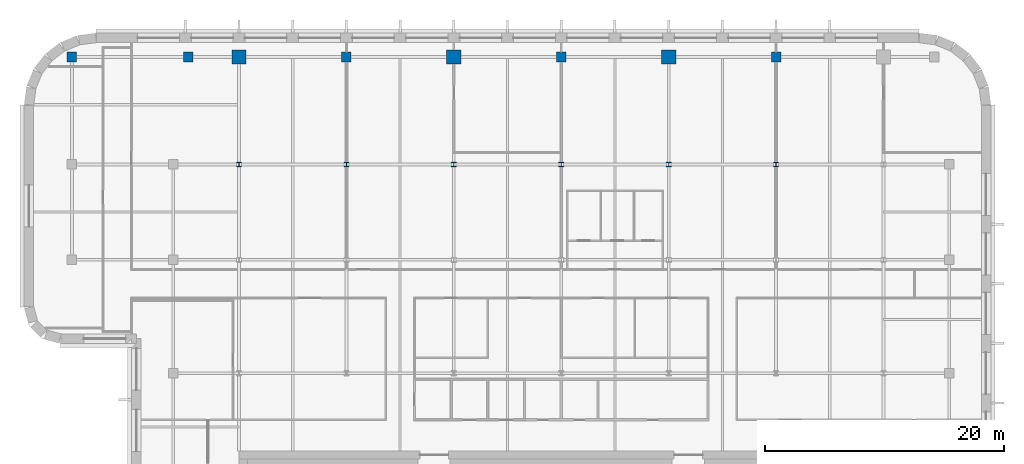
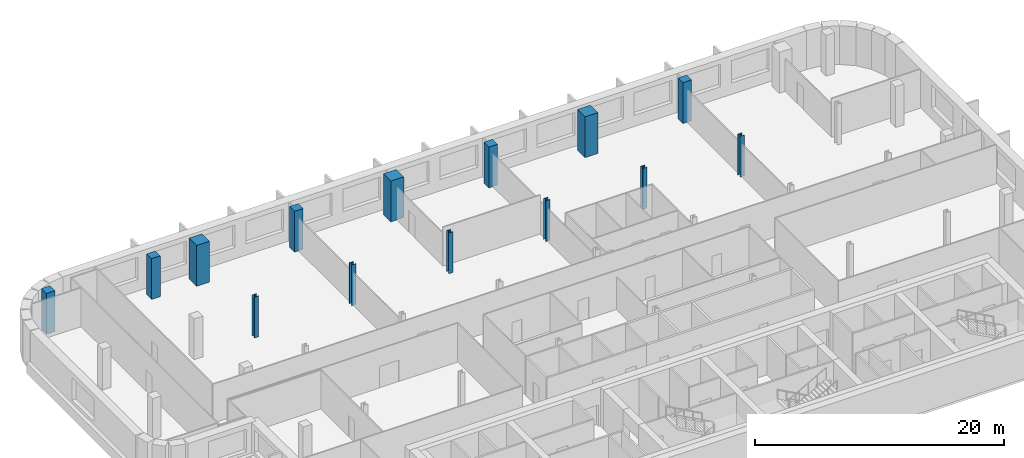
# One storey, part 3 of 16: 14 columns.
"""IFC4 building model written with IfcOpenShell, lengths in metres."""

from ifc_helpers import new_model, si_unit, direction, frame, origin, origin_2d, place, context, subcontext, project, spatial, rectangle, i_section, extrude, material, material_profile, profile_set, type_object, element, save


model = new_model("IFC4")

# Units and contexts
model_context = context("Model", 3, precision=1e-05, world=origin(), true_north=direction((0.0, 1.0)))
body_context = subcontext(model_context, "Body", "Model", "MODEL_VIEW")
ifc_project = project(units=[si_unit("LENGTHUNIT", "METRE"), si_unit("AREAUNIT", "SQUARE_METRE"), si_unit("VOLUMEUNIT", "CUBIC_METRE"), si_unit("PLANEANGLEUNIT", "RADIAN"), si_unit("MASSUNIT", "GRAM", prefix="KILO")], contexts=[model_context])

# Site, building, storey
site_placement = place(None, origin())
site = spatial("IfcSite", under=ifc_project, at=site_placement, CompositionType="ELEMENT")
building_placement = place(site_placement, origin())
building = spatial("IfcBuilding", under=site, at=building_placement, Name="Zellij Exchange Tower", CompositionType="ELEMENT")
storey_placement = place(building_placement, frame((0.0, 0.0, 248.5)))
storey = spatial("IfcBuildingStorey", under=building, at=storey_placement, Name="L58", CompositionType="ELEMENT", Elevation=248.5)

# Columns
ifc_material_1 = material(Name="Concrete C50/60", Category="concrete")
ifc_material_profile_1 = material_profile(ifc_material_1, rectangle(XDim=0.800048828125, YDim=0.800048828125, at=origin_2d()), Name="STR-COLUMN RC800x800 C50/60")
ifc_profile_set_1 = profile_set([ifc_material_profile_1], Name="Concrete C50/60")
column_type_1 = type_object("IfcColumnType", Name="STR-COLUMN RC800x800 C50/60", PredefinedType="COLUMN", material=ifc_profile_set_1)
for number, where, z_axis, x_axis, name in (
    (1, (-41.0, 31.0, 0.0), (0.0, 0.0, 1.0), (1.0, 0.0, 0.0), "C15"),
    (2, (-31.25, 31.0, 0.0), (0.0, 0.0, 1.0), (1.0, 0.0, 0.0), "C15"),
    (3, (-18.0, 31.0, 0.0), (0.0, 0.0, 1.0), (1.0, 0.0, 0.0), "C15"),
    (4, (0.0, 31.0, 0.0), (0.0, 0.0, 1.0), (1.0, 0.0, 0.0), "C15"),
    (5, (18.0, 31.0, 0.0), (0.0, 0.0, 1.0), (1.0, 0.0, 0.0), "C15"),
):
    element("IfcColumn", number, at=place(storey_placement, frame(where, z_axis=z_axis, x_axis=x_axis)), inside=storey, type_object=column_type_1, Name=name, PredefinedType="COLUMN", context=body_context, shape_type="SweptSolid", body=[
        extrude(rectangle(XDim=0.800048828125, YDim=0.800048828125, at=origin_2d()), origin(), (0.0, 0.0, 1.0), 4.0),
    ])
ifc_material_2 = material(Name="Structural steel ASTM A992 Gr 50", Category="steel")
ifc_material_profile_2 = material_profile(ifc_material_2, i_section(OverallWidth=0.398681640625, OverallDepth=0.385986328125, WebThickness=0.02099609375, FlangeThickness=0.033203125, at=origin_2d()), Name="W14x176")
ifc_profile_set_2 = profile_set([ifc_material_profile_2], Name="Structural steel ASTM A992 Gr 50")
column_type_2 = type_object("IfcColumnType", Name="STR-COLUMN W14x176", PredefinedType="COLUMN", material=ifc_profile_set_2)
for number, where, z_axis, x_axis, name in (
    (6, (-27.0, 22.0, 0.0), (0.0, 0.0, 1.0), (1.0, 0.0, 0.0), "C2"),
    (7, (-18.0, 22.0, 0.0), (0.0, 0.0, 1.0), (1.0, 0.0, 0.0), "C2"),
    (8, (-9.0, 22.0, 0.0), (0.0, 0.0, 1.0), (1.0, 0.0, 0.0), "C2"),
    (9, (0.0, 22.0, 0.0), (0.0, 0.0, 1.0), (1.0, 0.0, 0.0), "C2"),
    (10, (9.0, 22.0, 0.0), (0.0, 0.0, 1.0), (1.0, 0.0, 0.0), "C2"),
    (11, (18.0, 22.0, 0.0), (0.0, 0.0, 1.0), (1.0, 0.0, 0.0), "C2"),
):
    element("IfcColumn", number, at=place(storey_placement, frame(where, z_axis=z_axis, x_axis=x_axis)), inside=storey, type_object=column_type_2, Name=name, PredefinedType="COLUMN", context=body_context, shape_type="SweptSolid", body=[
        extrude(i_section(OverallWidth=0.398681640625, OverallDepth=0.385986328125, WebThickness=0.02099609375, FlangeThickness=0.033203125, at=origin_2d()), origin(), (0.0, 0.0, 1.0), 4.0),
    ])
ifc_material_profile_3 = material_profile(ifc_material_1, rectangle(XDim=1.199951171875, YDim=1.199951171875, at=origin_2d()), Name="STR-MEGA COLUMN RC1200x1200 C50/60")
ifc_profile_set_3 = profile_set([ifc_material_profile_3], Name="Concrete C50/60")
column_type_3 = type_object("IfcColumnType", Name="STR-MEGA COLUMN RC1200x1200 C50/60", PredefinedType="COLUMN", material=ifc_profile_set_3)
for number, where, z_axis, x_axis, name in (
    (12, (-27.0, 31.0, 0.0), (0.0, 0.0, 1.0), (1.0, 0.0, 0.0), "MC2"),
    (13, (-9.0, 31.0, 0.0), (0.0, 0.0, 1.0), (1.0, 0.0, 0.0), "MC2"),
    (14, (9.0, 31.0, 0.0), (0.0, 0.0, 1.0), (1.0, 0.0, 0.0), "MC2"),
):
    element("IfcColumn", number, at=place(storey_placement, frame(where, z_axis=z_axis, x_axis=x_axis)), inside=storey, type_object=column_type_3, Name=name, PredefinedType="COLUMN", context=body_context, shape_type="SweptSolid", body=[
        extrude(rectangle(XDim=1.199951171875, YDim=1.199951171875, at=origin_2d()), origin(), (0.0, 0.0, 1.0), 4.0),
    ])

save(model, "model.ifc")
